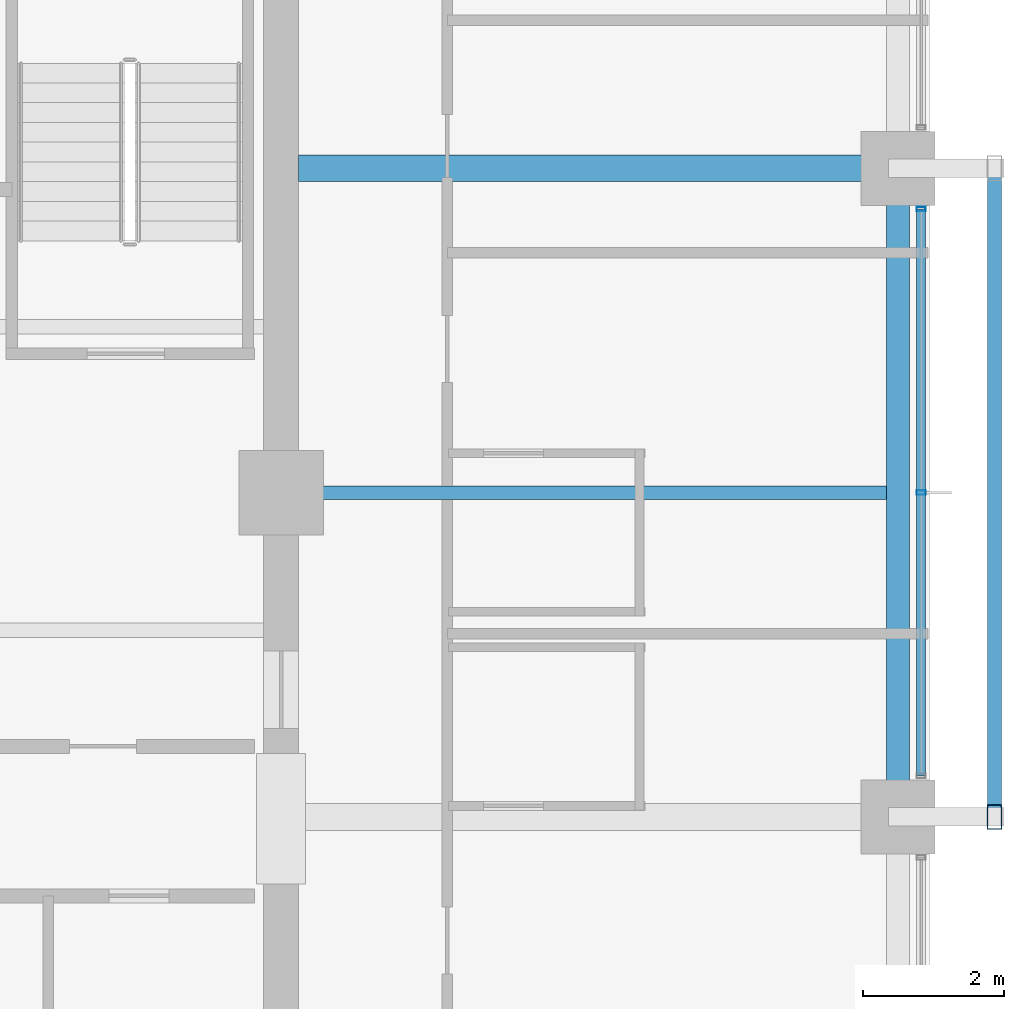
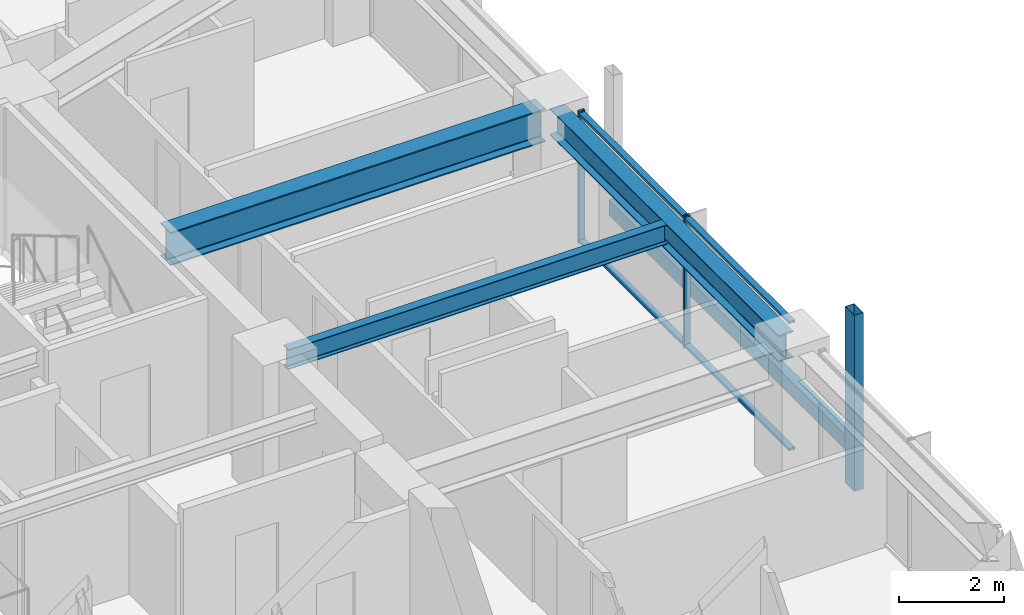
# One storey, part 14 of 34: 6 members, 3 beams, 1 element without a shape of its own.
"""IFC4 building model written with IfcOpenShell, lengths in metres."""

from ifc_helpers import new_model, si_unit, direction, frame, origin, origin_2d, place, context, subcontext, project, spatial, hollow_rectangle, i_section, extrude, material, material_profile, profile_set, type_object, element, aggregate, save


model = new_model("IFC4")

# Units and contexts
model_context = context("Model", 3, precision=1e-05, world=origin(), true_north=direction((0.0, 1.0)))
body_context = subcontext(model_context, "Body", "Model", "MODEL_VIEW")
ifc_project = project(units=[si_unit("LENGTHUNIT", "METRE"), si_unit("AREAUNIT", "SQUARE_METRE"), si_unit("VOLUMEUNIT", "CUBIC_METRE"), si_unit("PLANEANGLEUNIT", "RADIAN"), si_unit("MASSUNIT", "GRAM", prefix="KILO")], contexts=[model_context])

# Site, building, storey
site_placement = place(None, origin())
site = spatial("IfcSite", under=ifc_project, at=site_placement, CompositionType="ELEMENT")
building_placement = place(site_placement, origin())
building = spatial("IfcBuilding", under=site, at=building_placement, Name="Kolvaren Belvedere", CompositionType="ELEMENT")
storey_placement = place(building_placement, frame((0.0, 0.0, 111.800048828125)))
storey = spatial("IfcBuildingStorey", under=building, at=storey_placement, Name="L32", CompositionType="ELEMENT", Elevation=111.800048828125)

# Beams
ifc_material_1 = material(Name="Structural steel ASTM A992 Grade 50", Category="steel")
ifc_material_profile_1 = material_profile(ifc_material_1, i_section(OverallWidth=0.381103515625, OverallDepth=0.77294921875, WebThickness=0.0166015625, FlangeThickness=0.027099609375, FilletRadius=0.02392578125, at=origin_2d()), Name="W30X173")
ifc_profile_set_1 = profile_set([ifc_material_profile_1], Name="Structural steel ASTM A992 Grade 50")
beam_type_1 = type_object("IfcBeamType", Name="BM-GIRD-W30X173", PredefinedType="BEAM", material=ifc_profile_set_1)
beam_1_placement = place(storey_placement, frame((10.14990234375, 4.60009765625, 2.693359375), z_axis=(1.0, 0.0, 0.0), x_axis=(0.0, 1.0, 0.0)))
element("IfcBeam", 1, at=beam_1_placement, inside=storey, type_object=beam_type_1, Name="L32 East Radial Girder P", PredefinedType="BEAM", context=body_context, shape_type="SweptSolid", body=[
    extrude(i_section(OverallWidth=0.381103515625, OverallDepth=0.77294921875, WebThickness=0.0166015625, FlangeThickness=0.027099609375, FilletRadius=0.02392578125, at=origin_2d()), origin(), (0.0, 0.0, 1.0), 8.263916015625),
])
ifc_material_2 = material(Name="Structural steel ASTM A992 Grade 50", Category="steel")
ifc_material_profile_2 = material_profile(ifc_material_2, i_section(OverallWidth=0.19091796875, OverallDepth=0.4599609375, WebThickness=0.010009765625, FlangeThickness=0.01611328125, FilletRadius=0.014892578125, at=origin_2d()), Name="W18X55")
ifc_profile_set_2 = profile_set([ifc_material_profile_2], Name="Structural steel ASTM A992 Grade 50")
beam_type_2 = type_object("IfcBeamType", Name="BM-JOIST-W18X55", PredefinedType="BEAM", material=ifc_profile_set_2)
beam_2_placement = place(storey_placement, frame((10.14990234375, 0.0, 2.849853515625), z_axis=(1.0, 0.0, 0.0), x_axis=(0.0, 1.0, 0.0)))
element("IfcBeam", 2, at=beam_2_placement, inside=storey, type_object=beam_type_2, Name="L32 East Centre Floor Beam", PredefinedType="BEAM", context=body_context, shape_type="SweptSolid", body=[
    extrude(i_section(OverallWidth=0.19091796875, OverallDepth=0.4599609375, WebThickness=0.010009765625, FlangeThickness=0.01611328125, FilletRadius=0.014892578125, at=origin_2d()), origin(), (0.0, 0.0, 1.0), 8.337646484375),
])
ifc_material_3 = material(Name="Structural steel ASTM A992 Grade 50", Category="steel")
ifc_material_profile_3 = material_profile(ifc_material_3, i_section(OverallWidth=0.324951171875, OverallDepth=0.615966796875, WebThickness=0.013916015625, FlangeThickness=0.021484375, FilletRadius=0.02001953125, at=origin_2d()), Name="W24X117")
ifc_profile_set_3 = profile_set([ifc_material_profile_3], Name="Structural steel ASTM A992 Grade 50")
beam_type_3 = type_object("IfcBeamType", Name="BM-SPAN-W24X117", PredefinedType="SPANDREL", material=ifc_profile_set_3)
beam_3_placement = place(storey_placement, frame((18.64990234375, -4.36376953125, 2.77197265625), z_axis=(0.0, 1.0, 0.0), x_axis=(-1.0, 0.0, 0.0)))
element("IfcBeam", 3, at=beam_3_placement, inside=storey, type_object=beam_type_3, Name="L32 Perimeter Spandrel E2-E3", PredefinedType="SPANDREL", context=body_context, shape_type="SweptSolid", body=[
    extrude(i_section(OverallWidth=0.324951171875, OverallDepth=0.615966796875, WebThickness=0.013916015625, FlangeThickness=0.021484375, FilletRadius=0.02001953125, at=origin_2d()), origin(), (0.0, 0.0, 1.0), 8.7275390625),
])

# Curtain wall, members
ifc_material_4 = material(Name="Anodised pale-metal aluminium AA 6063-T6", Category="aluminium")
curtain_wall_type = type_object("IfcCurtainWallType", Name="CW-Z3-WAIST", PredefinedType="NOTDEFINED", material=ifc_material_4)
curtain_wall_placement = place(storey_placement, origin())
curtain_wall = element("IfcCurtainWall", 4, at=curtain_wall_placement, inside=storey, type_object=curtain_wall_type, Name="L32 Unitised Curtain Wall FCW-L32-E-B2", PredefinedType="NOTDEFINED")
ifc_material_5 = material(Name="Anodised pale-metal aluminium AA 6063-T6", Category="aluminium")
ifc_material_profile_4 = material_profile(ifc_material_5, hollow_rectangle(XDim=0.06494140625, YDim=0.1298828125, WallThickness=0.00390625, at=origin_2d()), Name="ALU-MUL-130X65")
ifc_profile_set_4 = profile_set([ifc_material_profile_4], Name="Anodised pale-metal aluminium AA 6063-T6")
member_type_1 = type_object("IfcMemberType", Name="CW-MUL-130", PredefinedType="MULLION", material=ifc_profile_set_4)
member_1_placement = place(storey_placement, frame((18.97998046875, 4.0224609375, 0.0), z_axis=(0.0, 0.0, 1.0), x_axis=(0.0, 1.0, 0.0)))
member_1 = element("IfcMember", 5, at=member_1_placement, type_object=member_type_1, Name="FCW-L32-E-B2 Unitised Mullion 1", PredefinedType="MULLION", context=body_context, shape_type="SweptSolid", body=[
    extrude(hollow_rectangle(XDim=0.06494140625, YDim=0.1298828125, WallThickness=0.00390625, at=origin_2d()), origin(), (0.0, 0.0, 1.0), 3.079833984375),
])
member_2_placement = place(storey_placement, frame((18.97998046875, 0.0, 0.0), z_axis=(0.0, 0.0, 1.0), x_axis=(0.0, 1.0, 0.0)))
member_2 = element("IfcMember", 6, at=member_2_placement, type_object=member_type_1, Name="FCW-L32-E-B2 Unitised Mullion 2", PredefinedType="MULLION", context=body_context, shape_type="SweptSolid", body=[
    extrude(hollow_rectangle(XDim=0.06494140625, YDim=0.1298828125, WallThickness=0.00390625, at=origin_2d()), origin(), (0.0, 0.0, 1.0), 3.079833984375),
])
ifc_material_6 = material(Name="Anodised pale-metal aluminium AA 6063-T6", Category="aluminium")
ifc_material_profile_5 = material_profile(ifc_material_6, hollow_rectangle(XDim=0.06005859375, YDim=0.1298828125, WallThickness=0.00390625, at=origin_2d()), Name="ALU-TRN-130X60")
ifc_profile_set_5 = profile_set([ifc_material_profile_5], Name="Anodised pale-metal aluminium AA 6063-T6")
member_type_2 = type_object("IfcMemberType", Name="CW-TRN-130", PredefinedType="USERDEFINED", material=ifc_profile_set_5)
member_3_placement = place(storey_placement, frame((18.97998046875, 4.0224609375, 0.06005859375), z_axis=(0.0, -1.0, 0.0), x_axis=(0.0, 0.0, 1.0)))
member_3 = element("IfcMember", 7, at=member_3_placement, type_object=member_type_2, Name="FCW-L32-E-B2 Sill Transom", ObjectType="TRANSOM", PredefinedType="USERDEFINED", context=body_context, shape_type="SweptSolid", body=[
    extrude(hollow_rectangle(XDim=0.06005859375, YDim=0.1298828125, WallThickness=0.00390625, at=origin_2d()), origin(), (0.0, 0.0, 1.0), 8.044921875),
])
member_4_placement = place(storey_placement, frame((18.97998046875, 4.0224609375, 3.02001953125), z_axis=(0.0, -1.0, 0.0), x_axis=(0.0, 0.0, 1.0)))
member_4 = element("IfcMember", 8, at=member_4_placement, type_object=member_type_2, Name="FCW-L32-E-B2 Head Transom", ObjectType="TRANSOM", PredefinedType="USERDEFINED", context=body_context, shape_type="SweptSolid", body=[
    extrude(hollow_rectangle(XDim=0.06005859375, YDim=0.1298828125, WallThickness=0.00390625, at=origin_2d()), origin(), (0.0, 0.0, 1.0), 8.044921875),
])
aggregate(curtain_wall, [member_1, member_2, member_3, member_4])

# Members
ifc_material_7 = material(Name="Anodised pale-metal aluminium AA 6063-T6", Category="aluminium")
ifc_material_profile_6 = material_profile(ifc_material_7, hollow_rectangle(XDim=0.199951171875, YDim=0.35009765625, WallThickness=0.007568359375, at=origin_2d()), Name="ALU-PF-350X200")
ifc_profile_set_6 = profile_set([ifc_material_profile_6], Name="Anodised pale-metal aluminium AA 6063-T6")
member_type_3 = type_object("IfcMemberType", Name="PF-FRAME-350", PredefinedType="USERDEFINED", material=ifc_profile_set_6)
member_5_placement = place(storey_placement, frame((20.02001953125, -4.60009765625, -0.81005859375), z_axis=(0.0, 0.0, 1.0), x_axis=(1.0, 0.0, 0.0)))
element("IfcMember", 9, at=member_5_placement, inside=storey, type_object=member_type_3, Name="L32 Outboard Picture-Frame Vertical E2", ObjectType="PICTURE FRAME FIN", PredefinedType="USERDEFINED", context=body_context, shape_type="SweptSolid", body=[
    extrude(hollow_rectangle(XDim=0.199951171875, YDim=0.35009765625, WallThickness=0.007568359375, at=origin_2d()), origin(), (0.0, 0.0, 1.0), 4.110107421875),
])
member_6_placement = place(storey_placement, frame((20.02001953125, 4.60009765625, 0.1298828125), z_axis=(0.0, -1.0, 0.0), x_axis=(1.0, 0.0, 0.0)))
element("IfcMember", 10, at=member_6_placement, inside=storey, type_object=member_type_3, Name="L32 Outboard Picture-Frame Sill E", ObjectType="PICTURE FRAME FIN", PredefinedType="USERDEFINED", context=body_context, shape_type="SweptSolid", body=[
    extrude(hollow_rectangle(XDim=0.199951171875, YDim=0.35009765625, WallThickness=0.007568359375, at=origin_2d()), origin(), (0.0, 0.0, 1.0), 9.2001953125),
])

save(model, "model.ifc")
